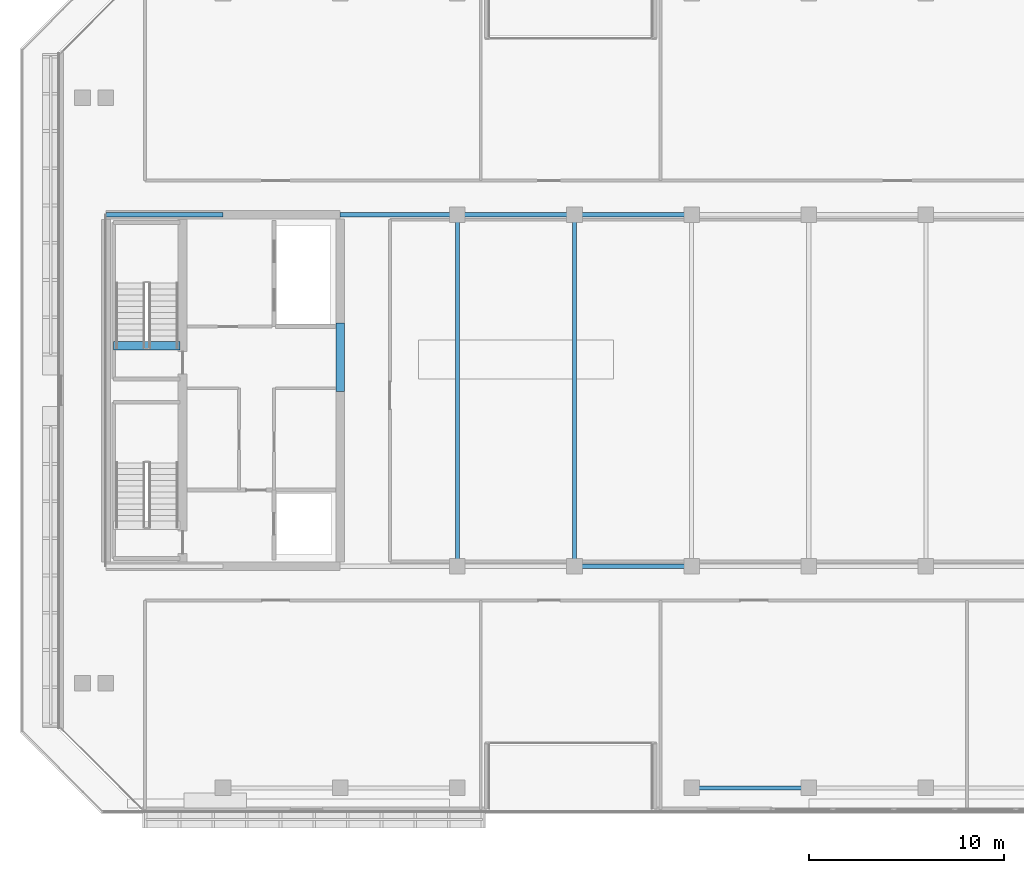
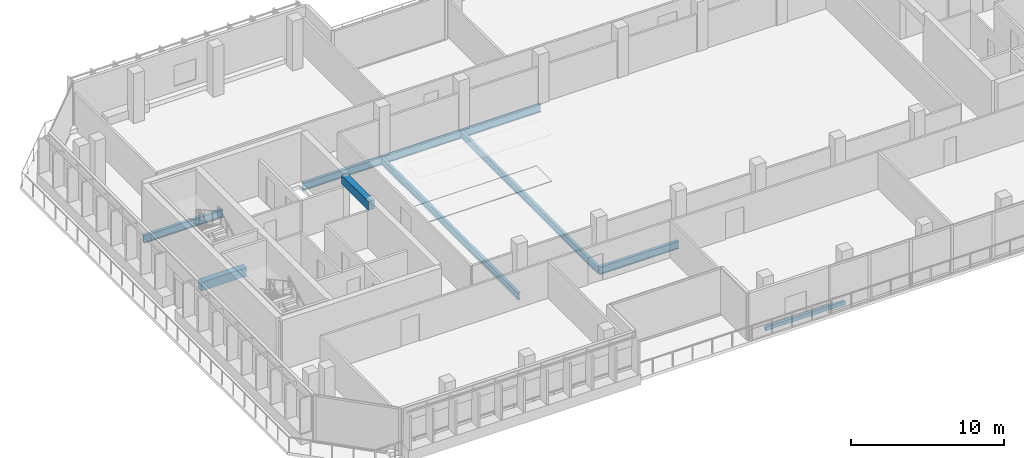
# One storey, part 5 of 26: 10 beams.
"""IFC4 building model written with IfcOpenShell, lengths in metres."""

from ifc_helpers import new_model, si_unit, direction, frame, origin, origin_2d, place, context, subcontext, project, spatial, rectangle, hollow_rectangle, i_section, extrude, material, material_profile, profile_set, type_object, element, save


model = new_model("IFC4")

# Units and contexts
model_context = context("Model", 3, precision=1e-05, world=origin(), true_north=direction((0.0, 1.0)))
body_context = subcontext(model_context, "Body", "Model", "MODEL_VIEW")
ifc_project = project(units=[si_unit("LENGTHUNIT", "METRE"), si_unit("AREAUNIT", "SQUARE_METRE"), si_unit("VOLUMEUNIT", "CUBIC_METRE"), si_unit("PLANEANGLEUNIT", "RADIAN"), si_unit("MASSUNIT", "GRAM", prefix="KILO")], contexts=[model_context])

# Site, building, storey
site_placement = place(None, origin())
site = spatial("IfcSite", under=ifc_project, at=site_placement, CompositionType="ELEMENT")
building_placement = place(site_placement, origin())
building = spatial("IfcBuilding", under=site, at=building_placement, Name="Tanjung Sevakor Pilgrim Tower", CompositionType="ELEMENT")
storey_placement = place(building_placement, frame((0.0, 0.0, 177.8701171875)))
storey = spatial("IfcBuildingStorey", under=building, at=storey_placement, Name="L49", CompositionType="ELEMENT", Elevation=177.8701171875)

# Beams
ifc_material_1 = material(Name="Steel S355J2", Category="steel")
ifc_material_profile_1 = material_profile(ifc_material_1, i_section(OverallWidth=0.22900390625, OverallDepth=0.6123046875, WebThickness=0.011962890625, FlangeThickness=0.01953125, FilletRadius=0.0126953125, at=origin_2d()))
ifc_profile_set_1 = profile_set([ifc_material_profile_1], Name="Steel S355J2")
beam_type_1 = type_object("IfcBeamType", Name="BM-B-G4-UB_610x229x125", PredefinedType="BEAM", material=ifc_profile_set_1)
for number, where, z_axis, x_axis, name in (
    (1, (48.0, 24.60009765625, -0.586181640625), (1.0, 0.0, 0.0), (0.0, 1.0, 0.0), "L49 Primary Floor Girder MAIN Y246-04"),
    (2, (24.0, 42.60009765625, -0.586181640625), (1.0, 0.0, 0.0), (0.0, 1.0, 0.0), "L49 Primary Floor Girder MAIN Y426-01"),
    (3, (36.0, 42.60009765625, -0.586181640625), (1.0, 0.0, 0.0), (0.0, 1.0, 0.0), "L49 Primary Floor Girder MAIN Y426-02"),
    (4, (42.0, 42.60009765625, -0.586181640625), (1.0, 0.0, 0.0), (0.0, 1.0, 0.0), "L49 Primary Floor Girder MAIN Y426-03"),
    (5, (48.0, 42.60009765625, -0.586181640625), (1.0, 0.0, 0.0), (0.0, 1.0, 0.0), "L49 Primary Floor Girder MAIN Y426-04"),
):
    element("IfcBeam", number, at=place(storey_placement, frame(where, z_axis=z_axis, x_axis=x_axis)), inside=storey, type_object=beam_type_1, Name=name, PredefinedType="BEAM", context=body_context, shape_type="SweptSolid", body=[
        extrude(i_section(OverallWidth=0.22900390625, OverallDepth=0.6123046875, WebThickness=0.011962890625, FlangeThickness=0.01953125, FilletRadius=0.0126953125, at=origin_2d()), origin(), (0.0, 0.0, 1.0), 6.0),
    ])
ifc_material_2 = material(Name="Steel S355J2", Category="steel")
ifc_material_profile_2 = material_profile(ifc_material_2, i_section(OverallWidth=0.2119140625, OverallDepth=0.54443359375, WebThickness=0.0126953125, FlangeThickness=0.021240234375, FilletRadius=0.0126953125, at=origin_2d()))
ifc_profile_set_2 = profile_set([ifc_material_profile_2], Name="Steel S355J2")
beam_type_2 = type_object("IfcBeamType", Name="BM-B-G5-UB_533x210x122", PredefinedType="BEAM", material=ifc_profile_set_2)
for number, where, z_axis, x_axis, name in (
    (6, (42.0, 24.60009765625, -0.552490234375), (0.0, 1.0, 0.0), (-1.0, 0.0, 0.0), "L49 MAIN Girder 001"),
    (7, (48.0, 24.60009765625, -0.552490234375), (0.0, 1.0, 0.0), (-1.0, 0.0, 0.0), "L49 MAIN Girder 002"),
):
    element("IfcBeam", number, at=place(storey_placement, frame(where, z_axis=z_axis, x_axis=x_axis)), inside=storey, type_object=beam_type_2, Name=name, PredefinedType="BEAM", context=body_context, shape_type="SweptSolid", body=[
        extrude(i_section(OverallWidth=0.2119140625, OverallDepth=0.54443359375, WebThickness=0.0126953125, FlangeThickness=0.021240234375, FilletRadius=0.0126953125, at=origin_2d()), origin(), (0.0, 0.0, 1.0), 18.0),
    ])
ifc_material_3 = material(Name="Concrete C60/75", Category="concrete")
ifc_material_profile_3 = material_profile(ifc_material_3, rectangle(XDim=0.449951171875, YDim=0.699951171875, at=origin_2d()))
ifc_profile_set_3 = profile_set([ifc_material_profile_3], Name="Concrete C60/75")
beam_type_3 = type_object("IfcBeamType", Name="BM-B-LN3-RC-BM_450x700", PredefinedType="LINTEL", material=ifc_profile_set_3)
beam_1_placement = place(storey_placement, frame((36.0, 33.550048828125, 3.389892578125), z_axis=(0.0, 1.0, 0.0), x_axis=(-1.0, 0.0, 0.0)))
element("IfcBeam", 8, at=beam_1_placement, inside=storey, type_object=beam_type_3, Name="L49 W Core Coupling Lintel", PredefinedType="LINTEL", context=body_context, shape_type="SweptSolid", body=[
    extrude(rectangle(XDim=0.449951171875, YDim=0.699951171875, at=origin_2d()), origin(), (0.0, 0.0, 1.0), 3.5),
])
beam_2_placement = place(storey_placement, frame((24.39990234375, 35.89990234375, -0.35009765625), z_axis=(1.0, 0.0, 0.0), x_axis=(0.0, 1.0, 0.0)))
element("IfcBeam", 9, at=beam_2_placement, inside=storey, type_object=beam_type_3, Name="L49 TS-W2 Stair Threshold Beam", PredefinedType="LINTEL", context=body_context, shape_type="SweptSolid", body=[
    extrude(rectangle(XDim=0.449951171875, YDim=0.699951171875, at=origin_2d()), origin(), (0.0, 0.0, 1.0), 3.400146484375),
])
ifc_material_4 = material(Name="Steel S355J2", Category="steel")
ifc_material_profile_4 = material_profile(ifc_material_4, hollow_rectangle(XDim=0.199951171875, YDim=0.300048828125, WallThickness=0.012451171875, at=origin_2d()))
ifc_profile_set_4 = profile_set([ifc_material_profile_4], Name="Steel S355J2")
beam_type_4 = type_object("IfcBeamType", Name="BM-B-SP3-RHS_300x200x12.5", PredefinedType="SPANDREL", material=ifc_profile_set_4)
beam_3_placement = place(storey_placement, frame((54.0, 13.25, -0.43017578125), z_axis=(1.0, 0.0, 0.0), x_axis=(0.0, 1.0, 0.0)))
element("IfcBeam", 10, at=beam_3_placement, inside=storey, type_object=beam_type_4, Name="L49 Spandrel MAIN S-05", PredefinedType="SPANDREL", context=body_context, shape_type="SweptSolid", body=[
    extrude(hollow_rectangle(XDim=0.199951171875, YDim=0.300048828125, WallThickness=0.012451171875, at=origin_2d()), origin(), (0.0, 0.0, 1.0), 6.0),
])

save(model, "model.ifc")
